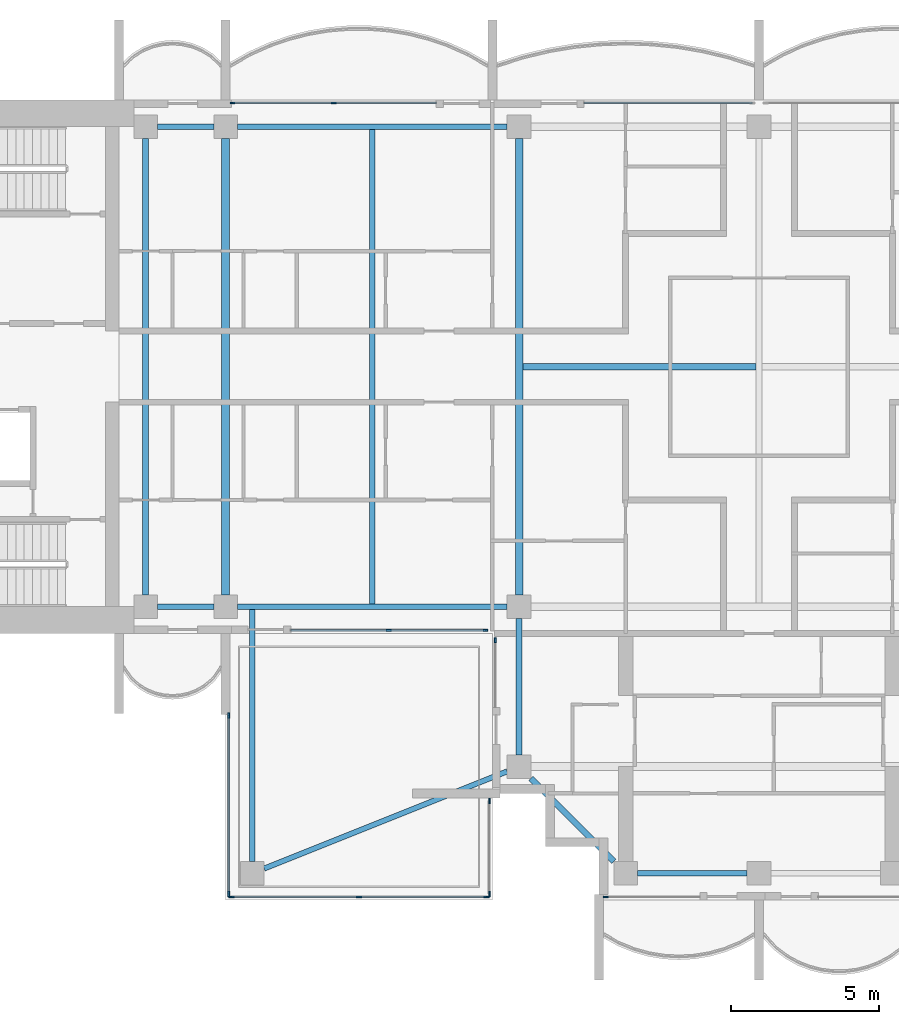
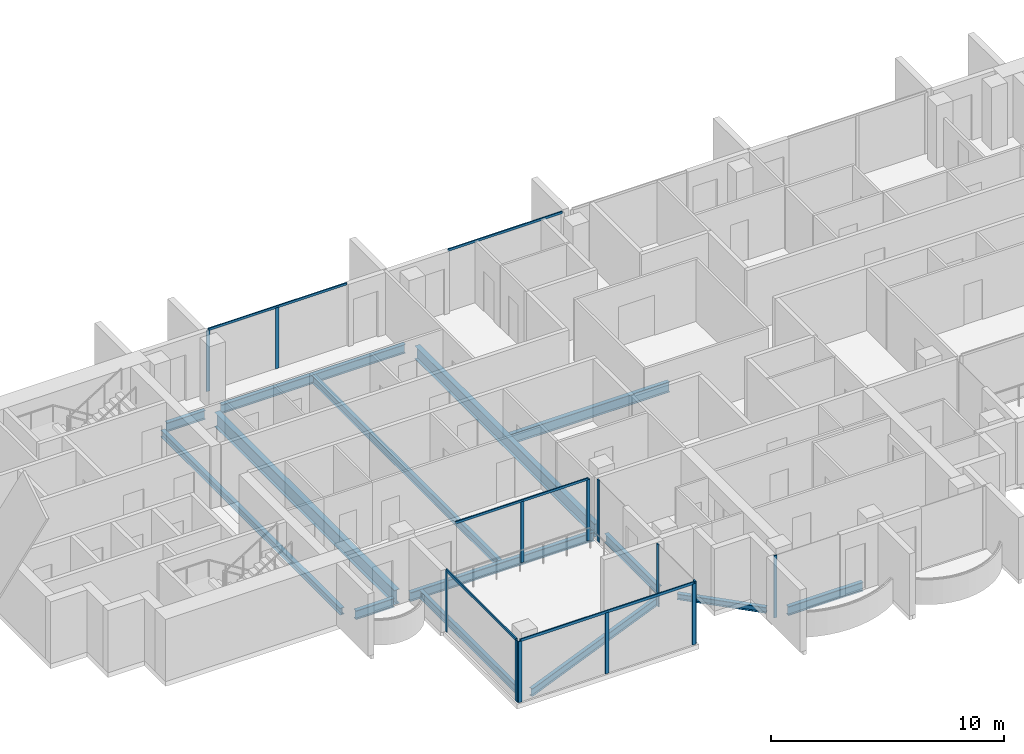
# One storey, part 2 of 17: 18 members, 14 beams, 8 elements without a shape of their own.
"""IFC4 building model written with IfcOpenShell, lengths in metres."""

import ifcopenshell
import ifcopenshell.guid

model = None  # the IFC model being written
_history = None  # IfcOwnerHistory: only IFC2X3 demands one
_inside = {}  # id of a spatial element -> (the spatial element, [elements in it])
_under = {}  # id of a project, library or spatial element -> (it, [spatial elements below it])
_declared = {}  # id of a project -> (the project, [libraries it declares])
_typed = {}  # id of a type object -> (the type object, [elements of that type])
_made_of = {}  # id of a material, layer set ... -> (it, [elements and type objects made of it])


def new_model(schema):
    """Start an empty IFC model of exactly this schema.

    Asked for "IFC4X3", IfcOpenShell would pick the latest addendum, in which some entities
    have other attributes; the version numbers below select the first issue.
    IFC2X3 requires an IfcOwnerHistory on every rooted entity: one is made here for all.
    """
    global model, _history
    if schema == "IFC4X3":
        model = ifcopenshell.file(schema_version=(4, 3, 0, 0))
    else:
        model = ifcopenshell.file(schema=schema)
    _inside.clear()
    _under.clear()
    _declared.clear()
    _typed.clear()
    _made_of.clear()
    _history = None
    if model.schema == "IFC2X3":
        org = make("IfcOrganization", Name="unknown")
        user = make(
            "IfcPersonAndOrganization",
            ThePerson=make("IfcPerson", FamilyName="unknown"),
            TheOrganization=org,
        )
        app = make(
            "IfcApplication",
            ApplicationDeveloper=org,
            Version="unknown",
            ApplicationFullName="unknown",
            ApplicationIdentifier="unknown",
        )
        _history = make(
            "IfcOwnerHistory",
            OwningUser=user,
            OwningApplication=app,
            ChangeAction="ADDED",
            CreationDate=0,
        )
    return model


def make(cls, **values):
    """One entity of the class cls with the attributes given. An attribute that is None is left unset."""
    return model.create_entity(
        cls, **{name: value for name, value in values.items() if value is not None}
    )


def rooted(cls, **values):
    """An entity with a GlobalId (a new one), such as an element, a storey or a relation."""
    return make(cls, GlobalId=ifcopenshell.guid.new(), OwnerHistory=_history, **values)


def si_unit(unit_type, name, prefix=None):
    """IfcSIUnit, for example si_unit("LENGTHUNIT", "METRE", prefix="MILLI")."""
    return make("IfcSIUnit", UnitType=unit_type, Prefix=prefix, Name=name)


def assignment(units):
    """IfcUnitAssignment: the units of a project."""
    return None if units is None else make("IfcUnitAssignment", Units=units)


def point(xyz):
    """IfcCartesianPoint."""
    return None if xyz is None else make("IfcCartesianPoint", Coordinates=xyz)


def direction(xyz):
    """IfcDirection."""
    return None if xyz is None else make("IfcDirection", DirectionRatios=xyz)


def frame(location, z_axis=None, x_axis=None):
    """IfcAxis2Placement3D, a coordinate frame: its origin and axes. An axis left out is left unset."""
    return make(
        "IfcAxis2Placement3D",
        Location=point(location),
        Axis=direction(z_axis),
        RefDirection=direction(x_axis),
    )


def frame_2d(location, x_axis=None):
    """IfcAxis2Placement2D, a coordinate frame in the plane: its origin and x axis."""
    return make(
        "IfcAxis2Placement2D", Location=point(location), RefDirection=direction(x_axis)
    )


def origin():
    """The frame at (0, 0, 0) with its axes left unset."""
    return frame((0.0, 0.0, 0.0))


def origin_2d():
    """The frame at (0, 0) in the plane with its x axis left unset."""
    return frame_2d((0.0, 0.0))


def place(relative_to, where):
    """IfcLocalPlacement: puts the frame where relative to a parent placement (None: the world)."""
    return make(
        "IfcLocalPlacement", PlacementRelTo=relative_to, RelativePlacement=where
    )


def context(
    kind, dimensions, precision=None, world=None, true_north=None, identifier=None
):
    """IfcGeometricRepresentationContext, for example the 3D "Model" context."""
    return make(
        "IfcGeometricRepresentationContext",
        ContextIdentifier=identifier,
        ContextType=kind,
        CoordinateSpaceDimension=dimensions,
        Precision=precision,
        WorldCoordinateSystem=world,
        TrueNorth=true_north,
    )


def subcontext(parent, identifier, kind, view, scale=None):
    """IfcGeometricRepresentationSubContext, for example "Body" below "Model"."""
    return make(
        "IfcGeometricRepresentationSubContext",
        ContextIdentifier=identifier,
        ContextType=kind,
        ParentContext=parent,
        TargetScale=scale,
        TargetView=view,
    )


def project(units=None, contexts=None):
    """IfcProject with its units and contexts."""
    return rooted(
        "IfcProject",
        Name="project",
        RepresentationContexts=contexts,
        UnitsInContext=assignment(units),
    )


def spatial(cls, under=None, at=None, **own):
    """A site, building, storey or space (cls), placed at a placement, below another one or the project."""
    s = rooted(cls, ObjectPlacement=at, **own)
    if under is not None:
        _under.setdefault(under.id(), (under, []))[1].append(s)
    return s


def profile(cls, at=None, kind="AREA", **sizes):
    """A parametric profile (cls). Its sizes go by their IFC names, for example OverallWidth=200.0."""
    return make(cls, ProfileType=kind, Position=at, **sizes)


def rectangle(**sizes):
    """IfcRectangleProfileDef."""
    return profile("IfcRectangleProfileDef", **sizes)


def i_section(**sizes):
    """IfcIShapeProfileDef."""
    return profile("IfcIShapeProfileDef", **sizes)


def extrude(swept, where, along, depth):
    """IfcExtrudedAreaSolid: the profile swept, set in the frame where, extruded along a direction by depth."""
    return make(
        "IfcExtrudedAreaSolid",
        SweptArea=swept,
        Position=where,
        ExtrudedDirection=direction(along),
        Depth=depth,
    )


def shape(context_of_items, identifier, shape_type, items):
    """IfcShapeRepresentation: the items that make up one representation, for example the "Body"."""
    return make(
        "IfcShapeRepresentation",
        ContextOfItems=context_of_items,
        RepresentationIdentifier=identifier,
        RepresentationType=shape_type,
        Items=items,
    )


def material(Name=None, Category=None):
    """IfcMaterial."""
    return make("IfcMaterial", Name=Name, Category=Category)


def material_profile(
    of_material, cross_section, Name=None, Category=None, Priority=None
):
    """IfcMaterialProfile: a cross section and its material."""
    return make(
        "IfcMaterialProfile",
        Name=Name,
        Material=of_material,
        Profile=cross_section,
        Priority=Priority,
        Category=Category,
    )


def profile_set(profiles, Name=None, composite=None):
    """IfcMaterialProfileSet."""
    return make(
        "IfcMaterialProfileSet",
        Name=Name,
        MaterialProfiles=profiles,
        CompositeProfile=composite,
    )


def made_of(thing, what):
    """Note that an element or type object is made of a material, layer set ...; save() writes the relation."""
    if what is not None:
        _made_of.setdefault(what.id(), (what, []))[1].append(thing)
    return thing


def type_object(cls, material=None, **own):
    """A type object (cls), such as IfcWallType, which elements share."""
    return made_of(rooted(cls, **own), material)


def element(
    cls,
    number,
    at=None,
    inside=None,
    cuts=None,
    type_object=None,
    material=None,
    context=None,
    identifier="Body",
    shape_type=None,
    held_by="IfcProductDefinitionShape",
    body=None,
    shapes=None,
    **own,
):
    """One element of the class cls, such as IfcWall. Its Tag is "e" and its number.

    at: its placement. inside: the storey or other place that contains it. cuts: it is an
    opening in that element (IfcRelVoidsElement). A single representation is given by context,
    identifier, shape_type and body (its items); several are given by shapes. held_by: the class
    of the entity that holds the representations. save() writes the other relations.
    """
    e = rooted(cls, Tag="e%d" % number, ObjectPlacement=at, **own)
    if body is not None:
        shapes = [shape(context, identifier, shape_type, body)]
    if shapes is not None:
        e.Representation = make(held_by, Representations=shapes)
    if inside is not None:
        _inside.setdefault(inside.id(), (inside, []))[1].append(e)
    if cuts is not None:
        rooted(
            "IfcRelVoidsElement", RelatingBuildingElement=cuts, RelatedOpeningElement=e
        )
    if type_object is not None:
        _typed.setdefault(type_object.id(), (type_object, []))[1].append(e)
    return made_of(e, material)


def aggregate(whole, parts):
    """IfcRelAggregates: a whole, such as a stair, and the parts it consists of."""
    return rooted("IfcRelAggregates", RelatingObject=whole, RelatedObjects=parts)


def save(model, path):
    """Write the relations noted so far, then the file.

    IfcRelAggregates (storeys below a building ...), IfcRelContainedInSpatialStructure (elements
    in a storey), IfcRelDefinesByType, IfcRelAssociatesMaterial and IfcRelDeclares: one each for
    every whole, place, type object, material and project.
    """
    for whole, parts in _under.values():
        aggregate(whole, parts)
    for where, things in _inside.values():
        rooted(
            "IfcRelContainedInSpatialStructure",
            RelatedElements=things,
            RelatingStructure=where,
        )
    for kind, things in _typed.values():
        rooted("IfcRelDefinesByType", RelatedObjects=things, RelatingType=kind)
    for what, things in _made_of.values():
        rooted("IfcRelAssociatesMaterial", RelatedObjects=things, RelatingMaterial=what)
    for by, libraries in _declared.values():
        rooted("IfcRelDeclares", RelatingContext=by, RelatedDefinitions=libraries)
    model.write(path)


model = new_model("IFC4")

# Units and contexts
model_context = context("Model", 3, precision=1e-05, world=origin(), true_north=direction((0.0, 1.0)))
body_context = subcontext(model_context, "Body", "Model", "MODEL_VIEW")
ifc_project = project(units=[si_unit("LENGTHUNIT", "METRE"), si_unit("AREAUNIT", "SQUARE_METRE"), si_unit("VOLUMEUNIT", "CUBIC_METRE"), si_unit("PLANEANGLEUNIT", "RADIAN"), si_unit("MASSUNIT", "GRAM", prefix="KILO")], contexts=[model_context])

# Site, building, storey
site_placement = place(None, origin())
site = spatial("IfcSite", under=ifc_project, at=site_placement, CompositionType="ELEMENT")
building_placement = place(site_placement, origin())
building = spatial("IfcBuilding", under=site, at=building_placement, Name="Perihelion Cross Residences", CompositionType="ELEMENT")
storey_placement = place(building_placement, frame((0.0, 0.0, 278.0)))
storey = spatial("IfcBuildingStorey", under=building, at=storey_placement, Name="L71", CompositionType="ELEMENT", Elevation=278.0)

# Curtain wall, members
ifc_material_1 = material(Name="Bronze anodised aluminium, tinted glazing", Category="aluminium")
curtain_wall_type_1 = type_object("IfcCurtainWallType", Name="CW1", PredefinedType="NOTDEFINED", material=ifc_material_1)
curtain_wall_1_placement = place(storey_placement, origin())
curtain_wall_1 = element("IfcCurtainWall", 1, at=curtain_wall_1_placement, inside=storey, type_object=curtain_wall_type_1, Name="Curtain wall CW1 L71 west side north bay 1", PredefinedType="NOTDEFINED")
ifc_material_2 = material(Name="Bronze anodised aluminium", Category="aluminium")
ifc_material_profile_1 = material_profile(ifc_material_2, rectangle(XDim=0.06005859375, YDim=0.159912109375, at=origin_2d()), Name="CW1 mullion")
ifc_profile_set_1 = profile_set([ifc_material_profile_1], Name="Bronze anodised aluminium")
member_type_1 = type_object("IfcMemberType", Name="CW1 mullion", PredefinedType="MULLION", material=ifc_profile_set_1)
member_1_placement = place(storey_placement, frame((-14.35009765625, 8.89990234375, 0.0), z_axis=(0.0, 0.0, 1.0), x_axis=(0.0, -1.0, 0.0)))
member_1 = element("IfcMember", 2, at=member_1_placement, type_object=member_type_1, Name="CW1 mullion 2", PredefinedType="MULLION", context=body_context, shape_type="SweptSolid", body=[
    extrude(rectangle(XDim=0.06005859375, YDim=0.159912109375, at=origin_2d()), origin(), (0.0, 0.0, 1.0), 3.18994140625),
])
member_2_placement = place(storey_placement, frame((-17.77001953125, 8.89990234375, 0.0), z_axis=(0.0, 0.0, 1.0), x_axis=(0.0, -1.0, 0.0)))
member_2 = element("IfcMember", 3, at=member_2_placement, type_object=member_type_1, Name="CW1 mullion 3", PredefinedType="MULLION", context=body_context, shape_type="SweptSolid", body=[
    extrude(rectangle(XDim=0.06005859375, YDim=0.159912109375, at=origin_2d()), origin(), (0.0, 0.0, 1.0), 3.18994140625),
])

curtain_wall_2_placement = place(storey_placement, origin())
curtain_wall_2 = element("IfcCurtainWall", 4, at=curtain_wall_2_placement, inside=storey, type_object=curtain_wall_type_1, Name="Curtain wall CW1 L71 west side south bay 2", PredefinedType="NOTDEFINED")
member_3_placement = place(storey_placement, frame((-12.5, -8.89990234375, 0.0), z_axis=(0.0, 0.0, 1.0), x_axis=(0.0, 1.0, 0.0)))
member_3 = element("IfcMember", 5, at=member_3_placement, type_object=member_type_1, Name="CW1 mullion 2", PredefinedType="MULLION", context=body_context, shape_type="SweptSolid", body=[
    extrude(rectangle(XDim=0.06005859375, YDim=0.159912109375, at=origin_2d()), origin(), (0.0, 0.0, 1.0), 3.18994140625),
])
member_4_placement = place(storey_placement, frame((-9.22998046875, -8.89990234375, 0.0), z_axis=(0.0, 0.0, 1.0), x_axis=(0.0, 1.0, 0.0)))
member_4 = element("IfcMember", 6, at=member_4_placement, type_object=member_type_1, Name="CW1 mullion 3", PredefinedType="MULLION", context=body_context, shape_type="SweptSolid", body=[
    extrude(rectangle(XDim=0.06005859375, YDim=0.159912109375, at=origin_2d()), origin(), (0.0, 0.0, 1.0), 3.18994140625),
])

# Curtain wall, member
curtain_wall_3_placement = place(storey_placement, origin())
curtain_wall_3 = element("IfcCurtainWall", 7, at=curtain_wall_3_placement, inside=storey, type_object=curtain_wall_type_1, Name="Curtain wall CW1 L71 south side west bay 1", PredefinedType="NOTDEFINED")
member_5_placement = place(storey_placement, frame((-8.89990234375, -9.22998046875, 0.0), z_axis=(0.0, 0.0, 1.0), x_axis=(1.0, 0.0, 0.0)))
member_5 = element("IfcMember", 8, at=member_5_placement, type_object=member_type_1, Name="CW1 mullion 1", PredefinedType="MULLION", context=body_context, shape_type="SweptSolid", body=[
    extrude(rectangle(XDim=0.06005859375, YDim=0.159912109375, at=origin_2d()), origin(), (0.0, 0.0, 1.0), 3.25),
])
aggregate(curtain_wall_3, [member_5])

curtain_wall_4_placement = place(storey_placement, origin())
curtain_wall_4 = element("IfcCurtainWall", 9, at=curtain_wall_4_placement, inside=storey, type_object=curtain_wall_type_1, Name="Curtain wall CW1 L71 south tip south bay 1", PredefinedType="NOTDEFINED")
member_6_placement = place(storey_placement, frame((-5.169921875, -17.89990234375, 0.0), z_axis=(0.0, 0.0, 1.0), x_axis=(0.0, 1.0, 0.0)))
member_6 = element("IfcMember", 10, at=member_6_placement, type_object=member_type_1, Name="CW1 mullion 1", PredefinedType="MULLION", context=body_context, shape_type="SweptSolid", body=[
    extrude(rectangle(XDim=0.06005859375, YDim=0.159912109375, at=origin_2d()), origin(), (0.0, 0.0, 1.0), 3.25),
])
aggregate(curtain_wall_4, [member_6])

curtain_wall_5_placement = place(storey_placement, origin())
curtain_wall_5 = element("IfcCurtainWall", 11, at=curtain_wall_5_placement, inside=storey, type_object=curtain_wall_type_1, Name="Curtain wall CW1 L71 north side east bay 2", PredefinedType="NOTDEFINED")
ifc_material_3 = material(Name="Bronze anodised aluminium", Category="aluminium")
ifc_material_profile_2 = material_profile(ifc_material_3, rectangle(XDim=0.06005859375, YDim=0.1201171875, at=origin_2d()), Name="CW1 transom")
ifc_profile_set_2 = profile_set([ifc_material_profile_2], Name="Bronze anodised aluminium")
member_type_2 = type_object("IfcMemberType", Name="CW1 transom", PredefinedType="USERDEFINED", material=ifc_profile_set_2)
member_7_placement = place(storey_placement, frame((-0.22998046875, 8.89990234375, 3.219970703125), z_axis=(-1.0, 0.0, 0.0), x_axis=(0.0, -1.0, 0.0)))
member_7 = element("IfcMember", 12, at=member_7_placement, type_object=member_type_2, Name="CW1 head transom", ObjectType="TRANSOM", PredefinedType="USERDEFINED", context=body_context, shape_type="SweptSolid", body=[
    extrude(rectangle(XDim=0.06005859375, YDim=0.1201171875, at=origin_2d()), origin(), (0.0, 0.0, 1.0), 5.669921875),
])
aggregate(curtain_wall_5, [member_7])

# Member
member_8_placement = place(storey_placement, frame((-10.89990234375, 8.89990234375, 3.219970703125), z_axis=(-1.0, 0.0, 0.0), x_axis=(0.0, -1.0, 0.0)))
member_8 = element("IfcMember", 13, at=member_8_placement, type_object=member_type_2, Name="CW1 head transom", ObjectType="TRANSOM", PredefinedType="USERDEFINED", context=body_context, shape_type="SweptSolid", body=[
    extrude(rectangle(XDim=0.06005859375, YDim=0.1201171875, at=origin_2d()), origin(), (0.0, 0.0, 1.0), 6.8701171875),
])

aggregate(curtain_wall_1, [member_1, member_2, member_8])

member_9_placement = place(storey_placement, frame((-15.800048828125, -8.89990234375, 3.219970703125), z_axis=(1.0, 0.0, 0.0), x_axis=(0.0, 1.0, 0.0)))
member_9 = element("IfcMember", 14, at=member_9_placement, type_object=member_type_2, Name="CW1 head transom", ObjectType="TRANSOM", PredefinedType="USERDEFINED", context=body_context, shape_type="SweptSolid", body=[
    extrude(rectangle(XDim=0.06005859375, YDim=0.1201171875, at=origin_2d()), origin(), (0.0, 0.0, 1.0), 6.570068359375),
])

aggregate(curtain_wall_2, [member_3, member_4, member_9])

# Curtain wall, members
ifc_material_4 = material(Name="Bronze anodised aluminium, tinted glazing", Category="aluminium")
curtain_wall_type_2 = type_object("IfcCurtainWallType", Name="CW4", PredefinedType="NOTDEFINED", material=ifc_material_4)
curtain_wall_6_placement = place(storey_placement, origin())
curtain_wall_6 = element("IfcCurtainWall", 15, at=curtain_wall_6_placement, inside=storey, type_object=curtain_wall_type_2, Name="Curtain wall CW4 L71 pocket south-west 1 1", PredefinedType="NOTDEFINED")
ifc_material_5 = material(Name="Bronze anodised aluminium", Category="aluminium")
ifc_material_profile_3 = material_profile(ifc_material_5, rectangle(XDim=0.06005859375, YDim=0.179931640625, at=origin_2d()), Name="CW4 mullion")
ifc_profile_set_3 = profile_set([ifc_material_profile_3], Name="Bronze anodised aluminium")
member_type_3 = type_object("IfcMemberType", Name="CW4 mullion", PredefinedType="MULLION", material=ifc_profile_set_3)
member_10_placement = place(storey_placement, frame((-9.10009765625, -14.658935546875, 0.0), z_axis=(0.0, 0.0, 1.0), x_axis=(1.0, 0.0, 0.0)))
member_10 = element("IfcMember", 16, at=member_10_placement, type_object=member_type_3, Name="CW4 mullion 1", PredefinedType="MULLION", context=body_context, shape_type="SweptSolid", body=[
    extrude(rectangle(XDim=0.06005859375, YDim=0.179931640625, at=origin_2d()), origin(), (0.0, 0.0, 1.0), 3.25),
])
member_11_placement = place(storey_placement, frame((-9.10009765625, -17.800048828125, 0.0), z_axis=(0.0, 0.0, 1.0), x_axis=(1.0, 0.0, 0.0)))
member_11 = element("IfcMember", 17, at=member_11_placement, type_object=member_type_3, Name="CW4 mullion 2", PredefinedType="MULLION", context=body_context, shape_type="SweptSolid", body=[
    extrude(rectangle(XDim=0.06005859375, YDim=0.179931640625, at=origin_2d()), origin(), (0.0, 0.0, 1.0), 3.25),
])
aggregate(curtain_wall_6, [member_10, member_11])

curtain_wall_7_placement = place(storey_placement, origin())
curtain_wall_7 = element("IfcCurtainWall", 18, at=curtain_wall_7_placement, inside=storey, type_object=curtain_wall_type_2, Name="Curtain wall CW4 L71 pocket south-west 1 2", PredefinedType="NOTDEFINED")
member_12_placement = place(storey_placement, frame((-9.199951171875, -17.89990234375, 0.0), z_axis=(0.0, 0.0, 1.0), x_axis=(0.0, -1.0, 0.0)))
member_12 = element("IfcMember", 19, at=member_12_placement, type_object=member_type_3, Name="CW4 mullion 1", PredefinedType="MULLION", context=body_context, shape_type="SweptSolid", body=[
    extrude(rectangle(XDim=0.06005859375, YDim=0.179931640625, at=origin_2d()), origin(), (0.0, 0.0, 1.0), 3.18994140625),
])
member_13_placement = place(storey_placement, frame((-13.5, -17.89990234375, 0.0), z_axis=(0.0, 0.0, 1.0), x_axis=(0.0, -1.0, 0.0)))
member_13 = element("IfcMember", 20, at=member_13_placement, type_object=member_type_3, Name="CW4 mullion 2", PredefinedType="MULLION", context=body_context, shape_type="SweptSolid", body=[
    extrude(rectangle(XDim=0.06005859375, YDim=0.179931640625, at=origin_2d()), origin(), (0.0, 0.0, 1.0), 3.18994140625),
])
member_14_placement = place(storey_placement, frame((-17.800048828125, -17.89990234375, 0.0), z_axis=(0.0, 0.0, 1.0), x_axis=(0.0, -1.0, 0.0)))
member_14 = element("IfcMember", 21, at=member_14_placement, type_object=member_type_3, Name="CW4 mullion 3", PredefinedType="MULLION", context=body_context, shape_type="SweptSolid", body=[
    extrude(rectangle(XDim=0.06005859375, YDim=0.179931640625, at=origin_2d()), origin(), (0.0, 0.0, 1.0), 3.18994140625),
])

curtain_wall_8_placement = place(storey_placement, origin())
curtain_wall_8 = element("IfcCurtainWall", 22, at=curtain_wall_8_placement, inside=storey, type_object=curtain_wall_type_2, Name="Curtain wall CW4 L71 pocket south-west 1 3", PredefinedType="NOTDEFINED")
member_15_placement = place(storey_placement, frame((-17.89990234375, -17.800048828125, 0.0), z_axis=(0.0, 0.0, 1.0), x_axis=(-1.0, 0.0, 0.0)))
member_15 = element("IfcMember", 23, at=member_15_placement, type_object=member_type_3, Name="CW4 mullion 1", PredefinedType="MULLION", context=body_context, shape_type="SweptSolid", body=[
    extrude(rectangle(XDim=0.06005859375, YDim=0.179931640625, at=origin_2d()), origin(), (0.0, 0.0, 1.0), 3.18994140625),
])
member_16_placement = place(storey_placement, frame((-17.89990234375, -11.77001953125, 0.0), z_axis=(0.0, 0.0, 1.0), x_axis=(-1.0, 0.0, 0.0)))
member_16 = element("IfcMember", 24, at=member_16_placement, type_object=member_type_3, Name="CW4 mullion 2", PredefinedType="MULLION", context=body_context, shape_type="SweptSolid", body=[
    extrude(rectangle(XDim=0.06005859375, YDim=0.179931640625, at=origin_2d()), origin(), (0.0, 0.0, 1.0), 3.18994140625),
])

# Member
ifc_material_6 = material(Name="Bronze anodised aluminium", Category="aluminium")
ifc_material_profile_4 = material_profile(ifc_material_6, rectangle(XDim=0.06005859375, YDim=0.139892578125, at=origin_2d()), Name="CW4 transom")
ifc_profile_set_4 = profile_set([ifc_material_profile_4], Name="Bronze anodised aluminium")
member_type_4 = type_object("IfcMemberType", Name="CW4 transom", PredefinedType="USERDEFINED", material=ifc_profile_set_4)
member_17_placement = place(storey_placement, frame((-9.199951171875, -17.89990234375, 3.219970703125), z_axis=(-1.0, 0.0, 0.0), x_axis=(0.0, -1.0, 0.0)))
member_17 = element("IfcMember", 25, at=member_17_placement, type_object=member_type_4, Name="CW4 head transom", ObjectType="TRANSOM", PredefinedType="USERDEFINED", context=body_context, shape_type="SweptSolid", body=[
    extrude(rectangle(XDim=0.06005859375, YDim=0.139892578125, at=origin_2d()), origin(), (0.0, 0.0, 1.0), 8.60009765625),
])

aggregate(curtain_wall_7, [member_12, member_13, member_14, member_17])

member_18_placement = place(storey_placement, frame((-17.89990234375, -17.800048828125, 3.219970703125), z_axis=(0.0, 1.0, 0.0), x_axis=(-1.0, 0.0, 0.0)))
member_18 = element("IfcMember", 26, at=member_18_placement, type_object=member_type_4, Name="CW4 head transom", ObjectType="TRANSOM", PredefinedType="USERDEFINED", context=body_context, shape_type="SweptSolid", body=[
    extrude(rectangle(XDim=0.06005859375, YDim=0.139892578125, at=origin_2d()), origin(), (0.0, 0.0, 1.0), 6.030029296875),
])

aggregate(curtain_wall_8, [member_15, member_16, member_18])

# Beams
ifc_material_7 = material(Name="Steel S355", Category="steel")
ifc_material_profile_5 = material_profile(ifc_material_7, i_section(OverallWidth=0.205078125, OverallDepth=0.35302734375, WebThickness=0.009521484375, FlangeThickness=0.016845703125, at=origin_2d()), Name="W360x79")
ifc_profile_set_5 = profile_set([ifc_material_profile_5], Name="Steel S355")
beam_type_1 = type_object("IfcBeamType", Name="Core edge beam W360x79", PredefinedType="BEAM", material=ifc_profile_set_5)
beam_1_placement = place(storey_placement, frame((-20.699951171875, -7.699951171875, -0.426513671875), z_axis=(0.0, 1.0, 0.0), x_axis=(-1.0, 0.0, 0.0)))
element("IfcBeam", 27, at=beam_1_placement, inside=storey, type_object=beam_type_1, Name="Core edge beam TB7 L71 no. 1", PredefinedType="BEAM", context=body_context, shape_type="SweptSolid", body=[
    extrude(i_section(OverallWidth=0.205078125, OverallDepth=0.35302734375, WebThickness=0.009521484375, FlangeThickness=0.016845703125, at=origin_2d()), origin(), (0.0, 0.0, 1.0), 15.39990234375),
])
ifc_material_8 = material(Name="Steel S355", Category="steel")
ifc_material_profile_6 = material_profile(ifc_material_8, i_section(OverallWidth=0.177978515625, OverallDepth=0.406005859375, WebThickness=0.0078125, FlangeThickness=0.0126953125, at=origin_2d()), Name="W410x60")
ifc_profile_set_6 = profile_set([ifc_material_profile_6], Name="Steel S355")
beam_type_2 = type_object("IfcBeamType", Name="Core edge beam W410x60", PredefinedType="BEAM", material=ifc_profile_set_6)
beam_2_placement = place(storey_placement, frame((-17.10009765625, -8.197021484375, -0.452880859375), z_axis=(0.0, -1.0, 0.0), x_axis=(1.0, 0.0, 0.0)))
element("IfcBeam", 28, at=beam_2_placement, inside=storey, type_object=beam_type_2, Name="Core edge beam TB2 L71 corner no. 1", PredefinedType="BEAM", context=body_context, shape_type="SweptSolid", body=[
    extrude(i_section(OverallWidth=0.177978515625, OverallDepth=0.406005859375, WebThickness=0.0078125, FlangeThickness=0.0126953125, at=origin_2d()), origin(), (0.0, 0.0, 1.0), 8.5029296875),
])
beam_3_placement = place(storey_placement, frame((-8.5, -13.659912109375, -0.452880859375), z_axis=(-0.928474784399, -0.371395442534, 0.0), x_axis=(0.371395442534, -0.928474784399, 0.0)))
element("IfcBeam", 29, at=beam_3_placement, inside=storey, type_object=beam_type_2, Name="Core edge beam TB2 L71 corner no. 2", PredefinedType="BEAM", context=body_context, shape_type="SweptSolid", body=[
    extrude(i_section(OverallWidth=0.177978515625, OverallDepth=0.406005859375, WebThickness=0.0078125, FlangeThickness=0.0126953125, at=origin_2d()), origin(), (0.0, 0.0, 1.0), 8.83154296875),
])
ifc_material_9 = material(Name="Steel S355", Category="steel")
ifc_material_profile_7 = material_profile(ifc_material_9, i_section(OverallWidth=0.194091796875, OverallDepth=0.469970703125, WebThickness=0.0126953125, FlangeThickness=0.0205078125, at=origin_2d()), Name="W460x106")
ifc_profile_set_7 = profile_set([ifc_material_profile_7], Name="Steel S355")
beam_type_3 = type_object("IfcBeamType", Name="Edge beam W460x106", PredefinedType="SPANDREL", material=ifc_profile_set_7)
beam_4_placement = place(storey_placement, frame((-8.5, 8.10009765625, -0.485107421875), z_axis=(-1.0, 0.0, 0.0), x_axis=(0.0, -1.0, 0.0)))
element("IfcBeam", 30, at=beam_4_placement, inside=storey, type_object=beam_type_3, Name="Edge beam SB5 L71 no. 6", PredefinedType="SPANDREL", context=body_context, shape_type="SweptSolid", body=[
    extrude(i_section(OverallWidth=0.194091796875, OverallDepth=0.469970703125, WebThickness=0.0126953125, FlangeThickness=0.0205078125, at=origin_2d()), origin(), (0.0, 0.0, 1.0), 9.10009765625),
])
for number, where, z_axis, x_axis, name in (
    (31, (-18.39990234375, 8.10009765625, -0.485107421875), (-1.0, 0.0, 0.0), (0.0, -1.0, 0.0), "Edge beam SB5 L71 no. 2"),
    (32, (-20.300048828125, -8.10009765625, -0.485107421875), (1.0, 0.0, 0.0), (0.0, 1.0, 0.0), "Edge beam SB5 L71 no. 3"),
):
    element("IfcBeam", number, at=place(storey_placement, frame(where, z_axis=z_axis, x_axis=x_axis)), inside=storey, type_object=beam_type_3, Name=name, PredefinedType="SPANDREL", context=body_context, shape_type="SweptSolid", body=[
        extrude(i_section(OverallWidth=0.194091796875, OverallDepth=0.469970703125, WebThickness=0.0126953125, FlangeThickness=0.0205078125, at=origin_2d()), origin(), (0.0, 0.0, 1.0), 1.900146484375),
    ])
beam_5_placement = place(storey_placement, frame((-17.60009765625, -8.10009765625, -0.485107421875), z_axis=(1.0, 0.0, 0.0), x_axis=(0.0, 1.0, 0.0)))
element("IfcBeam", 33, at=beam_5_placement, inside=storey, type_object=beam_type_3, Name="Edge beam SB5 L71 no. 1", PredefinedType="SPANDREL", context=body_context, shape_type="SweptSolid", body=[
    extrude(i_section(OverallWidth=0.194091796875, OverallDepth=0.469970703125, WebThickness=0.0126953125, FlangeThickness=0.0205078125, at=origin_2d()), origin(), (0.0, 0.0, 1.0), 9.10009765625),
])
beam_6_placement = place(storey_placement, frame((-8.10009765625, -8.5, -0.485107421875), z_axis=(0.0, -1.0, 0.0), x_axis=(1.0, 0.0, 0.0)))
element("IfcBeam", 34, at=beam_6_placement, inside=storey, type_object=beam_type_3, Name="Edge beam SB5 L71 no. 5", PredefinedType="SPANDREL", context=body_context, shape_type="SweptSolid", body=[
    extrude(i_section(OverallWidth=0.194091796875, OverallDepth=0.469970703125, WebThickness=0.0126953125, FlangeThickness=0.0205078125, at=origin_2d()), origin(), (0.0, 0.0, 1.0), 4.60009765625),
])
beam_7_placement = place(storey_placement, frame((-4.10009765625, -17.10009765625, -0.485107421875), z_axis=(1.0, 0.0, 0.0), x_axis=(0.0, 1.0, 0.0)))
element("IfcBeam", 35, at=beam_7_placement, inside=storey, type_object=beam_type_3, Name="Edge beam SB5 L71 no. 4", PredefinedType="SPANDREL", context=body_context, shape_type="SweptSolid", body=[
    extrude(i_section(OverallWidth=0.194091796875, OverallDepth=0.469970703125, WebThickness=0.0126953125, FlangeThickness=0.0205078125, at=origin_2d()), origin(), (0.0, 0.0, 1.0), 3.7001953125),
])
ifc_material_10 = material(Name="Steel S355", Category="steel")
ifc_material_profile_8 = material_profile(ifc_material_10, i_section(OverallWidth=0.26708984375, OverallDepth=0.75390625, WebThickness=0.01318359375, FlangeThickness=0.01708984375, at=origin_2d()), Name="W760x147")
ifc_profile_set_8 = profile_set([ifc_material_profile_8], Name="Steel S355")
beam_type_4 = type_object("IfcBeamType", Name="Floor girder W760x147", PredefinedType="BEAM", material=ifc_profile_set_8)
beam_8_placement = place(storey_placement, frame((-18.0, -7.699951171875, -0.626953125), z_axis=(0.0, 1.0, 0.0), x_axis=(-1.0, 0.0, 0.0)))
element("IfcBeam", 36, at=beam_8_placement, inside=storey, type_object=beam_type_4, Name="Girder G5 L71 no. 1", PredefinedType="BEAM", context=body_context, shape_type="SweptSolid", body=[
    extrude(i_section(OverallWidth=0.26708984375, OverallDepth=0.75390625, WebThickness=0.01318359375, FlangeThickness=0.01708984375, at=origin_2d()), origin(), (0.0, 0.0, 1.0), 15.39990234375),
])
ifc_material_11 = material(Name="Steel S355", Category="steel")
ifc_material_profile_9 = material_profile(ifc_material_11, i_section(OverallWidth=0.177978515625, OverallDepth=0.406005859375, WebThickness=0.0078125, FlangeThickness=0.0126953125, at=origin_2d()), Name="W410x60")
ifc_profile_set_9 = profile_set([ifc_material_profile_9], Name="Steel S355")
beam_type_5 = type_object("IfcBeamType", Name="Floor joist W410x60", PredefinedType="JOIST", material=ifc_profile_set_9)
beam_9_placement = place(storey_placement, frame((-13.050048828125, -8.0029296875, -0.452880859375), z_axis=(0.0, 1.0, 0.0), x_axis=(-1.0, 0.0, 0.0)))
element("IfcBeam", 37, at=beam_9_placement, inside=storey, type_object=beam_type_5, Name="Joist J6 L71 no. 1", PredefinedType="JOIST", context=body_context, shape_type="SweptSolid", body=[
    extrude(i_section(OverallWidth=0.177978515625, OverallDepth=0.406005859375, WebThickness=0.0078125, FlangeThickness=0.0126953125, at=origin_2d()), origin(), (0.0, 0.0, 1.0), 16.005859375),
])
ifc_material_12 = material(Name="Steel S355", Category="steel")
ifc_material_profile_10 = material_profile(ifc_material_12, i_section(OverallWidth=0.208984375, OverallDepth=0.532958984375, WebThickness=0.01025390625, FlangeThickness=0.015625, at=origin_2d()), Name="W530x92")
ifc_profile_set_10 = profile_set([ifc_material_profile_10], Name="Steel S355")
beam_type_6 = type_object("IfcBeamType", Name="Hub cross beam W530x92", PredefinedType="BEAM", material=ifc_profile_set_10)
beam_10_placement = place(storey_placement, frame((-7.972900390625, 0.0, -0.5166015625), z_axis=(1.0, 0.0, 0.0), x_axis=(0.0, 1.0, 0.0)))
element("IfcBeam", 38, at=beam_10_placement, inside=storey, type_object=beam_type_6, Name="Hub cross beam XB5 L71 1 no. 1", PredefinedType="BEAM", context=body_context, shape_type="SweptSolid", body=[
    extrude(i_section(OverallWidth=0.208984375, OverallDepth=0.532958984375, WebThickness=0.01025390625, FlangeThickness=0.015625, at=origin_2d()), origin(), (0.0, 0.0, 1.0), 7.868408203125),
])
ifc_material_13 = material(Name="Steel S355", Category="steel")
ifc_material_profile_11 = material_profile(ifc_material_13, i_section(OverallWidth=0.25390625, OverallDepth=0.677978515625, WebThickness=0.01171875, FlangeThickness=0.016357421875, at=origin_2d()), Name="W690x125")
ifc_profile_set_11 = profile_set([ifc_material_profile_11], Name="Steel S355")
beam_type_7 = type_object("IfcBeamType", Name="Hub ring girder W690x125", PredefinedType="BEAM", material=ifc_profile_set_11)
beam_11_placement = place(storey_placement, frame((-8.10009765625, 7.699951171875, -0.589111328125), z_axis=(0.0, -1.0, 0.0), x_axis=(1.0, 0.0, 0.0)))
element("IfcBeam", 39, at=beam_11_placement, inside=storey, type_object=beam_type_7, Name="Hub ring girder RG5 L71 no. 2", PredefinedType="BEAM", context=body_context, shape_type="SweptSolid", body=[
    extrude(i_section(OverallWidth=0.25390625, OverallDepth=0.677978515625, WebThickness=0.01171875, FlangeThickness=0.016357421875, at=origin_2d()), origin(), (0.0, 0.0, 1.0), 15.39990234375),
])
ifc_material_14 = material(Name="Steel S355", Category="steel")
ifc_material_profile_12 = material_profile(ifc_material_14, i_section(OverallWidth=0.202880859375, OverallDepth=0.302001953125, WebThickness=0.007568359375, FlangeThickness=0.01318359375, at=origin_2d()), Name="W310x60")
ifc_profile_set_12 = profile_set([ifc_material_profile_12], Name="Steel S355")
beam_type_8 = type_object("IfcBeamType", Name="Serration edge beam W310x60", PredefinedType="BEAM", material=ifc_profile_set_12)
beam_12_placement = place(storey_placement, frame((-7.699951171875, -13.89990234375, -0.40087890625), z_axis=(0.707106781187, -0.707106781187, 0.0), x_axis=(0.707106781187, 0.707106781187, 0.0)))
element("IfcBeam", 40, at=beam_12_placement, inside=storey, type_object=beam_type_8, Name="Serration edge beam EB5 L71 no. 1", PredefinedType="BEAM", context=body_context, shape_type="SweptSolid", body=[
    extrude(i_section(OverallWidth=0.202880859375, OverallDepth=0.302001953125, WebThickness=0.007568359375, FlangeThickness=0.01318359375, at=origin_2d()), origin(), (0.0, 0.0, 1.0), 3.9599609375),
])

save(model, "model.ifc")
